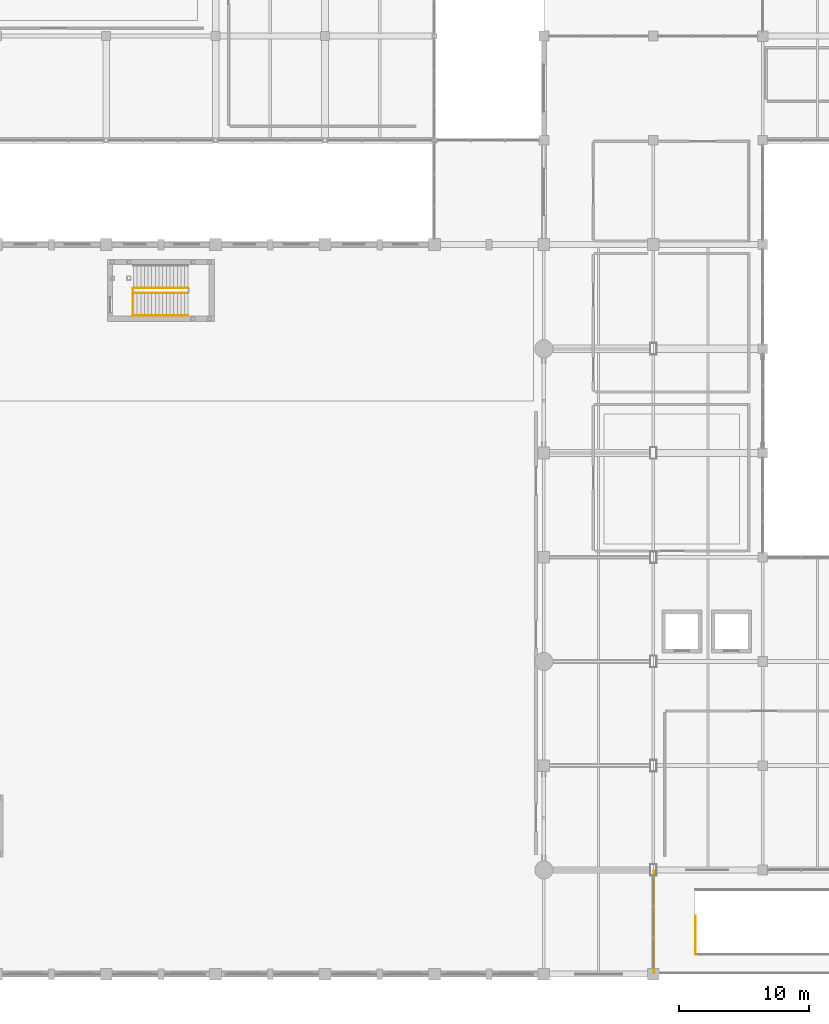
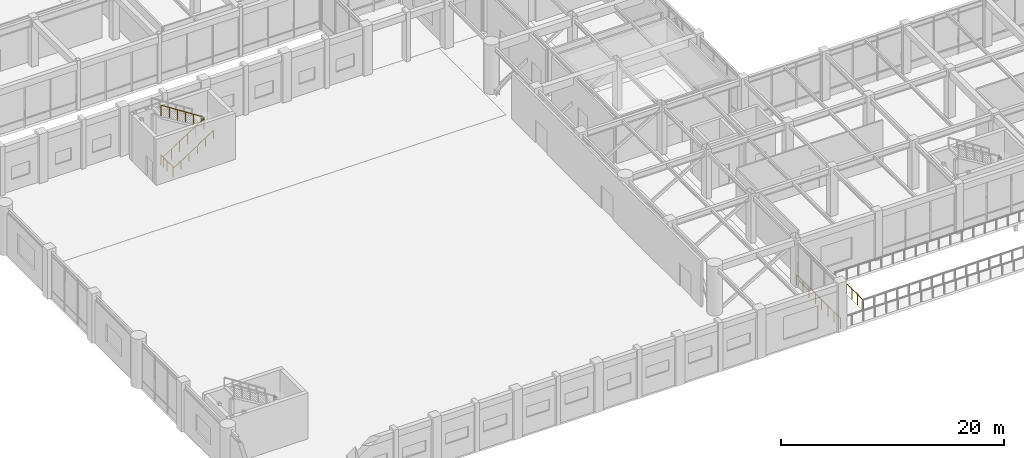
# One storey, part 71 of 79: 6 railings.
"""IFC4 building model written with IfcOpenShell, lengths in metres."""

from ifc_helpers import new_model, si_unit, direction, frame, origin, origin_2d, place, context, subcontext, project, spatial, circle, extrude, material, layer, layer_set, type_object, element, save


model = new_model("IFC4")

# Units and contexts
model_context = context("Model", 3, precision=1e-05, world=origin(), true_north=direction((0.0, 1.0)))
body_context = subcontext(model_context, "Body", "Model", "MODEL_VIEW")
ifc_project = project(units=[si_unit("LENGTHUNIT", "METRE"), si_unit("AREAUNIT", "SQUARE_METRE"), si_unit("VOLUMEUNIT", "CUBIC_METRE"), si_unit("PLANEANGLEUNIT", "RADIAN"), si_unit("MASSUNIT", "GRAM", prefix="KILO")], contexts=[model_context])

# Site, building, storey
site_placement = place(None, origin())
site = spatial("IfcSite", under=ifc_project, at=site_placement, CompositionType="ELEMENT")
building_placement = place(site_placement, origin())
building = spatial("IfcBuilding", under=site, at=building_placement, Name="Naruveol Harbour Congress Hotel", CompositionType="ELEMENT")
storey_placement = place(building_placement, frame((0.0, 0.0, 6.0)))
storey = spatial("IfcBuildingStorey", under=building, at=storey_placement, Name="L01", CompositionType="ELEMENT", Elevation=6.0)

# Railings
ifc_material_1 = material(Name="Steel SN490", Category="steel")
ifc_layer_1 = layer(ifc_material_1, 0.050048828125)
ifc_layer_set_1 = layer_set([ifc_layer_1], Name="Steel SN490")
railing_type_1 = type_object("IfcRailingType", Name="GALVANISED STEEL DECK GUARDRAIL 1150", PredefinedType="GUARDRAIL", material=ifc_layer_set_1)
railing_1_placement = place(storey_placement, frame((62.050048828125, 4.47998046875, 0.0)))
element("IfcRailing", 1, at=railing_1_placement, inside=storey, type_object=railing_type_1, Name="Promenade ramp well guard #4", PredefinedType="GUARDRAIL", context=body_context, shape_type="SweptSolid", body=[
    extrude(circle(Radius=0.02392578125, at=origin_2d()), frame((0.0, 0.0, 1.1259765625), z_axis=(0.0, -1.0, 0.0), x_axis=(1.0, 0.0, 0.0)), (0.0, 0.0, 1.0), 2.9599609375),
    extrude(circle(Radius=0.02099609375, at=origin_2d()), origin(), (0.0, 0.0, 1.0), 1.101806640625),
    extrude(circle(Radius=0.02099609375, at=origin_2d()), frame((0.0, -0.986572265625, 0.0)), (0.0, 0.0, 1.0), 1.101806640625),
    extrude(circle(Radius=0.02099609375, at=origin_2d()), frame((0.0, -1.973388671875, 0.0)), (0.0, 0.0, 1.0), 1.101806640625),
    extrude(circle(Radius=0.02099609375, at=origin_2d()), frame((0.0, -2.9599609375, 0.0)), (0.0, 0.0, 1.0), 1.101806640625),
])
ifc_material_2 = material(Name="Tempered Laminated Safety Glass & Stainless Steel", Category="steel")
ifc_layer_2 = layer(ifc_material_2, 0.06005859375)
ifc_layer_set_2 = layer_set([ifc_layer_2], Name="Tempered Laminated Safety Glass & Stainless Steel")
railing_type_2 = type_object("IfcRailingType", Name="LAMINATED GLASS TERRACE BALUSTRADE 1150", PredefinedType="BALUSTRADE", material=ifc_layer_set_2)
railing_2_placement = place(storey_placement, frame((58.85009765625, 7.919921875, 0.0)))
element("IfcRailing", 2, at=railing_2_placement, inside=storey, type_object=railing_type_2, Name="Promenade deck outer balustrade #1", PredefinedType="BALUSTRADE", context=body_context, shape_type="SweptSolid", body=[
    extrude(circle(Radius=0.02392578125, at=origin_2d()), frame((0.0, 0.0, 1.1259765625), z_axis=(0.0, -1.0, 0.0), x_axis=(1.0, 0.0, 0.0)), (0.0, 0.0, 1.0), 7.83984375),
    extrude(circle(Radius=0.02099609375, at=origin_2d()), origin(), (0.0, 0.0, 1.0), 1.101806640625),
    extrude(circle(Radius=0.02099609375, at=origin_2d()), frame((0.0, -1.119873046875, 0.0)), (0.0, 0.0, 1.0), 1.101806640625),
    extrude(circle(Radius=0.02099609375, at=origin_2d()), frame((0.0, -2.239990234375, 0.0)), (0.0, 0.0, 1.0), 1.101806640625),
    extrude(circle(Radius=0.02099609375, at=origin_2d()), frame((0.0, -3.35986328125, 0.0)), (0.0, 0.0, 1.0), 1.101806640625),
    extrude(circle(Radius=0.02099609375, at=origin_2d()), frame((0.0, -4.47998046875, 0.0)), (0.0, 0.0, 1.0), 1.101806640625),
    extrude(circle(Radius=0.02099609375, at=origin_2d()), frame((0.0, -5.599853515625, 0.0)), (0.0, 0.0, 1.0), 1.101806640625),
    extrude(circle(Radius=0.02099609375, at=origin_2d()), frame((0.0, -6.719970703125, 0.0)), (0.0, 0.0, 1.0), 1.101806640625),
    extrude(circle(Radius=0.02099609375, at=origin_2d()), frame((0.0, -7.83984375, 0.0)), (0.0, 0.0, 1.0), 1.101806640625),
])
ifc_material_3 = material(Name="Stainless Steel 304", Category="steel")
ifc_layer_3 = layer(ifc_material_3, 0.0419921875)
ifc_layer_set_3 = layer_set([ifc_layer_3], Name="Stainless Steel 304")
railing_type_3 = type_object("IfcRailingType", Name="STAIR WALL MOUNTED HANDRAIL 900", PredefinedType="HANDRAIL", material=ifc_layer_set_3)
railing_3_placement = place(storey_placement, frame((18.89990234375, 50.56005859375, 0.0)))
element("IfcRailing", 3, at=railing_3_placement, inside=storey, type_object=railing_type_3, Name="Stair ST6 L01 lower wall handrail", PredefinedType="HANDRAIL", context=body_context, shape_type="SweptSolid", body=[
    extrude(circle(Radius=0.02392578125, at=origin_2d()), frame((0.0, 0.0, 0.8759765625), z_axis=(0.841194361566, 0.0, 0.540732878665), x_axis=(0.0, 1.0, 0.0)), (0.0, 0.0, 1.0), 4.9931640625),
    extrude(circle(Radius=0.02099609375, at=origin_2d()), origin(), (0.0, 0.0, 1.0), 0.851806640625),
    extrude(circle(Radius=0.02099609375, at=origin_2d()), frame((0.840087890625, 0.0, 0.5400390625)), (0.0, 0.0, 1.0), 0.851806640625),
    extrude(circle(Radius=0.02099609375, at=origin_2d()), frame((1.68017578125, 0.0, 1.080078125)), (0.0, 0.0, 1.0), 0.851806640625),
    extrude(circle(Radius=0.02099609375, at=origin_2d()), frame((2.52001953125, 0.0, 1.619873046875)), (0.0, 0.0, 1.0), 0.851806640625),
    extrude(circle(Radius=0.02099609375, at=origin_2d()), frame((3.360107421875, 0.0, 2.159912109375)), (0.0, 0.0, 1.0), 0.851806640625),
    extrude(circle(Radius=0.02099609375, at=origin_2d()), frame((4.2001953125, 0.0, 2.699951171875)), (0.0, 0.0, 1.0), 0.851806640625),
])
ifc_material_4 = material(Name="Steel SN490", Category="steel")
ifc_layer_4 = layer(ifc_material_4, 0.044921875)
ifc_layer_set_4 = layer_set([ifc_layer_4], Name="Steel SN490")
railing_type_4 = type_object("IfcRailingType", Name="STAIRWELL STEEL GUARDRAIL 1150", PredefinedType="GUARDRAIL", material=ifc_layer_set_4)
railing_4_placement = place(storey_placement, frame((18.89990234375, 52.2900390625, 0.0)))
element("IfcRailing", 4, at=railing_4_placement, inside=storey, type_object=railing_type_4, Name="Stair ST6 L01 lower well guard", PredefinedType="GUARDRAIL", context=body_context, shape_type="SweptSolid", body=[
    extrude(circle(Radius=0.02392578125, at=origin_2d()), frame((0.0, 0.0, 1.1259765625), z_axis=(0.841194361566, 0.0, 0.540732878665), x_axis=(0.0, 1.0, 0.0)), (0.0, 0.0, 1.0), 4.9931640625),
    extrude(circle(Radius=0.02099609375, at=origin_2d()), origin(), (0.0, 0.0, 1.0), 1.101806640625),
    extrude(circle(Radius=0.02099609375, at=origin_2d()), frame((0.840087890625, 0.0, 0.5400390625)), (0.0, 0.0, 1.0), 1.101806640625),
    extrude(circle(Radius=0.02099609375, at=origin_2d()), frame((1.68017578125, 0.0, 1.080078125)), (0.0, 0.0, 1.0), 1.101806640625),
    extrude(circle(Radius=0.02099609375, at=origin_2d()), frame((2.52001953125, 0.0, 1.619873046875)), (0.0, 0.0, 1.0), 1.101806640625),
    extrude(circle(Radius=0.02099609375, at=origin_2d()), frame((3.360107421875, 0.0, 2.159912109375)), (0.0, 0.0, 1.0), 1.101806640625),
    extrude(circle(Radius=0.02099609375, at=origin_2d()), frame((4.2001953125, 0.0, 2.699951171875)), (0.0, 0.0, 1.0), 1.101806640625),
])
railing_5_placement = place(storey_placement, frame((23.10009765625, 52.669921875, 2.699951171875)))
element("IfcRailing", 5, at=railing_5_placement, inside=storey, type_object=railing_type_4, Name="Stair ST6 L01 upper well guard", PredefinedType="GUARDRAIL", context=body_context, shape_type="SweptSolid", body=[
    extrude(circle(Radius=0.02392578125, at=origin_2d()), frame((0.0, 0.0, 1.1259765625), z_axis=(-0.841194361566, 0.0, 0.540732878665), x_axis=(0.0, -1.0, 0.0)), (0.0, 0.0, 1.0), 4.9931640625),
    extrude(circle(Radius=0.02099609375, at=origin_2d()), origin(), (0.0, 0.0, 1.0), 1.101806640625),
    extrude(circle(Radius=0.02099609375, at=origin_2d()), frame((-0.840087890625, 0.0, 0.5400390625)), (0.0, 0.0, 1.0), 1.101806640625),
    extrude(circle(Radius=0.02099609375, at=origin_2d()), frame((-1.68017578125, 0.0, 1.080078125)), (0.0, 0.0, 1.0), 1.101806640625),
    extrude(circle(Radius=0.02099609375, at=origin_2d()), frame((-2.52001953125, 0.0, 1.619873046875)), (0.0, 0.0, 1.0), 1.101806640625),
    extrude(circle(Radius=0.02099609375, at=origin_2d()), frame((-3.360107421875, 0.0, 2.159912109375)), (0.0, 0.0, 1.0), 1.101806640625),
    extrude(circle(Radius=0.02099609375, at=origin_2d()), frame((-4.2001953125, 0.0, 2.699951171875)), (0.0, 0.0, 1.0), 1.101806640625),
])
railing_6_placement = place(storey_placement, frame((18.860107421875, 50.52001953125, 0.0)))
element("IfcRailing", 6, at=railing_6_placement, inside=storey, type_object=railing_type_4, Name="Stair ST6 L01 landing well guard", PredefinedType="GUARDRAIL", context=body_context, shape_type="SweptSolid", body=[
    extrude(circle(Radius=0.02392578125, at=origin_2d()), frame((0.0, 0.0, 1.1259765625), z_axis=(0.0, 1.0, 0.0), x_axis=(-1.0, 0.0, 0.0)), (0.0, 0.0, 1.0), 2.14990234375),
    extrude(circle(Radius=0.02099609375, at=origin_2d()), origin(), (0.0, 0.0, 1.0), 1.101806640625),
    extrude(circle(Radius=0.02099609375, at=origin_2d()), frame((0.0, 1.074951171875, 0.0)), (0.0, 0.0, 1.0), 1.101806640625),
    extrude(circle(Radius=0.02099609375, at=origin_2d()), frame((0.0, 2.14990234375, 0.0)), (0.0, 0.0, 1.0), 1.101806640625),
])

save(model, "model.ifc")
